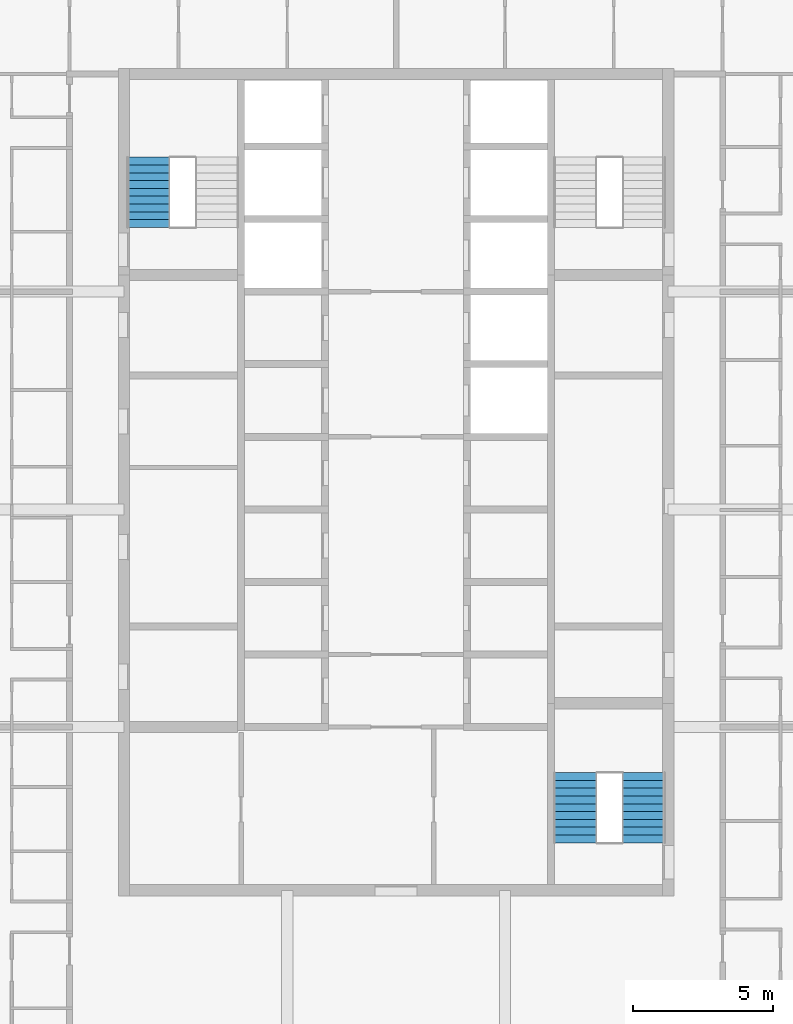
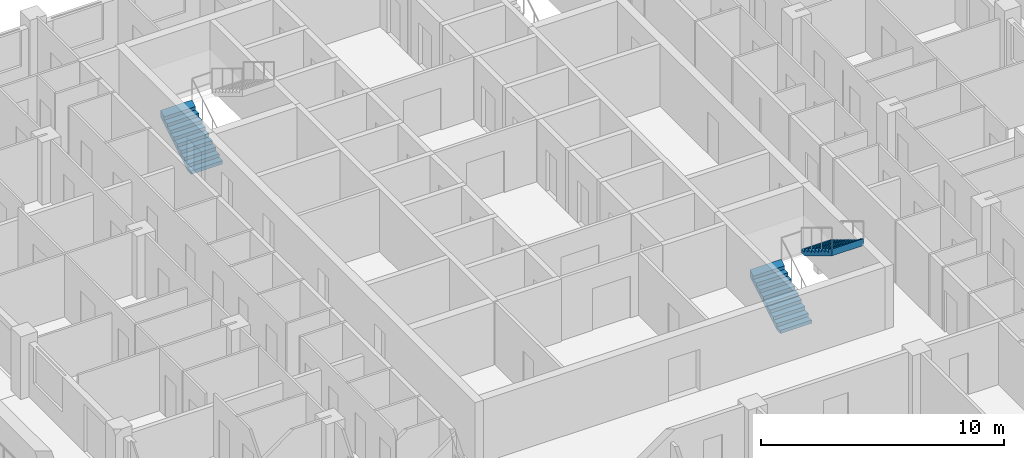
# One storey, part 13 of 16: 3 stair flights, 2 elements without a shape of their own.
"""IFC4 building model written with IfcOpenShell, lengths in metres."""

import ifcopenshell
import ifcopenshell.guid

model = None  # the IFC model being written
_history = None  # IfcOwnerHistory: only IFC2X3 demands one
_inside = {}  # id of a spatial element -> (the spatial element, [elements in it])
_under = {}  # id of a project, library or spatial element -> (it, [spatial elements below it])
_declared = {}  # id of a project -> (the project, [libraries it declares])
_typed = {}  # id of a type object -> (the type object, [elements of that type])
_made_of = {}  # id of a material, layer set ... -> (it, [elements and type objects made of it])


def new_model(schema):
    """Start an empty IFC model of exactly this schema.

    Asked for "IFC4X3", IfcOpenShell would pick the latest addendum, in which some entities
    have other attributes; the version numbers below select the first issue.
    IFC2X3 requires an IfcOwnerHistory on every rooted entity: one is made here for all.
    """
    global model, _history
    if schema == "IFC4X3":
        model = ifcopenshell.file(schema_version=(4, 3, 0, 0))
    else:
        model = ifcopenshell.file(schema=schema)
    _inside.clear()
    _under.clear()
    _declared.clear()
    _typed.clear()
    _made_of.clear()
    _history = None
    if model.schema == "IFC2X3":
        org = make("IfcOrganization", Name="unknown")
        user = make(
            "IfcPersonAndOrganization",
            ThePerson=make("IfcPerson", FamilyName="unknown"),
            TheOrganization=org,
        )
        app = make(
            "IfcApplication",
            ApplicationDeveloper=org,
            Version="unknown",
            ApplicationFullName="unknown",
            ApplicationIdentifier="unknown",
        )
        _history = make(
            "IfcOwnerHistory",
            OwningUser=user,
            OwningApplication=app,
            ChangeAction="ADDED",
            CreationDate=0,
        )
    return model


def make(cls, **values):
    """One entity of the class cls with the attributes given. An attribute that is None is left unset."""
    return model.create_entity(
        cls, **{name: value for name, value in values.items() if value is not None}
    )


def rooted(cls, **values):
    """An entity with a GlobalId (a new one), such as an element, a storey or a relation."""
    return make(cls, GlobalId=ifcopenshell.guid.new(), OwnerHistory=_history, **values)


def si_unit(unit_type, name, prefix=None):
    """IfcSIUnit, for example si_unit("LENGTHUNIT", "METRE", prefix="MILLI")."""
    return make("IfcSIUnit", UnitType=unit_type, Prefix=prefix, Name=name)


def assignment(units):
    """IfcUnitAssignment: the units of a project."""
    return None if units is None else make("IfcUnitAssignment", Units=units)


def point(xyz):
    """IfcCartesianPoint."""
    return None if xyz is None else make("IfcCartesianPoint", Coordinates=xyz)


def direction(xyz):
    """IfcDirection."""
    return None if xyz is None else make("IfcDirection", DirectionRatios=xyz)


def frame(location, z_axis=None, x_axis=None):
    """IfcAxis2Placement3D, a coordinate frame: its origin and axes. An axis left out is left unset."""
    return make(
        "IfcAxis2Placement3D",
        Location=point(location),
        Axis=direction(z_axis),
        RefDirection=direction(x_axis),
    )


def origin():
    """The frame at (0, 0, 0) with its axes left unset."""
    return frame((0.0, 0.0, 0.0))


def place(relative_to, where):
    """IfcLocalPlacement: puts the frame where relative to a parent placement (None: the world)."""
    return make(
        "IfcLocalPlacement", PlacementRelTo=relative_to, RelativePlacement=where
    )


def context(
    kind, dimensions, precision=None, world=None, true_north=None, identifier=None
):
    """IfcGeometricRepresentationContext, for example the 3D "Model" context."""
    return make(
        "IfcGeometricRepresentationContext",
        ContextIdentifier=identifier,
        ContextType=kind,
        CoordinateSpaceDimension=dimensions,
        Precision=precision,
        WorldCoordinateSystem=world,
        TrueNorth=true_north,
    )


def subcontext(parent, identifier, kind, view, scale=None):
    """IfcGeometricRepresentationSubContext, for example "Body" below "Model"."""
    return make(
        "IfcGeometricRepresentationSubContext",
        ContextIdentifier=identifier,
        ContextType=kind,
        ParentContext=parent,
        TargetScale=scale,
        TargetView=view,
    )


def project(units=None, contexts=None):
    """IfcProject with its units and contexts."""
    return rooted(
        "IfcProject",
        Name="project",
        RepresentationContexts=contexts,
        UnitsInContext=assignment(units),
    )


def spatial(cls, under=None, at=None, **own):
    """A site, building, storey or space (cls), placed at a placement, below another one or the project."""
    s = rooted(cls, ObjectPlacement=at, **own)
    if under is not None:
        _under.setdefault(under.id(), (under, []))[1].append(s)
    return s


def point_list(points):
    """IfcCartesianPointList2D or 3D."""
    cls = (
        "IfcCartesianPointList2D" if len(points[0]) == 2 else "IfcCartesianPointList3D"
    )
    return make(cls, CoordList=points)


def triangles(points, corners, closed=None, point_numbers=None):
    """IfcTriangulatedFaceSet: each triangle names its three corners, points numbered from 1."""
    return make(
        "IfcTriangulatedFaceSet",
        Coordinates=point_list(points),
        Closed=closed,
        CoordIndex=corners,
        PnIndex=point_numbers,
    )


def shape(context_of_items, identifier, shape_type, items):
    """IfcShapeRepresentation: the items that make up one representation, for example the "Body"."""
    return make(
        "IfcShapeRepresentation",
        ContextOfItems=context_of_items,
        RepresentationIdentifier=identifier,
        RepresentationType=shape_type,
        Items=items,
    )


def material(Name=None, Category=None):
    """IfcMaterial."""
    return make("IfcMaterial", Name=Name, Category=Category)


def made_of(thing, what):
    """Note that an element or type object is made of a material, layer set ...; save() writes the relation."""
    if what is not None:
        _made_of.setdefault(what.id(), (what, []))[1].append(thing)
    return thing


def type_object(cls, material=None, **own):
    """A type object (cls), such as IfcWallType, which elements share."""
    return made_of(rooted(cls, **own), material)


def element(
    cls,
    number,
    at=None,
    inside=None,
    cuts=None,
    type_object=None,
    material=None,
    context=None,
    identifier="Body",
    shape_type=None,
    held_by="IfcProductDefinitionShape",
    body=None,
    shapes=None,
    **own,
):
    """One element of the class cls, such as IfcWall. Its Tag is "e" and its number.

    at: its placement. inside: the storey or other place that contains it. cuts: it is an
    opening in that element (IfcRelVoidsElement). A single representation is given by context,
    identifier, shape_type and body (its items); several are given by shapes. held_by: the class
    of the entity that holds the representations. save() writes the other relations.
    """
    e = rooted(cls, Tag="e%d" % number, ObjectPlacement=at, **own)
    if body is not None:
        shapes = [shape(context, identifier, shape_type, body)]
    if shapes is not None:
        e.Representation = make(held_by, Representations=shapes)
    if inside is not None:
        _inside.setdefault(inside.id(), (inside, []))[1].append(e)
    if cuts is not None:
        rooted(
            "IfcRelVoidsElement", RelatingBuildingElement=cuts, RelatedOpeningElement=e
        )
    if type_object is not None:
        _typed.setdefault(type_object.id(), (type_object, []))[1].append(e)
    return made_of(e, material)


def aggregate(whole, parts):
    """IfcRelAggregates: a whole, such as a stair, and the parts it consists of."""
    return rooted("IfcRelAggregates", RelatingObject=whole, RelatedObjects=parts)


def save(model, path):
    """Write the relations noted so far, then the file.

    IfcRelAggregates (storeys below a building ...), IfcRelContainedInSpatialStructure (elements
    in a storey), IfcRelDefinesByType, IfcRelAssociatesMaterial and IfcRelDeclares: one each for
    every whole, place, type object, material and project.
    """
    for whole, parts in _under.values():
        aggregate(whole, parts)
    for where, things in _inside.values():
        rooted(
            "IfcRelContainedInSpatialStructure",
            RelatedElements=things,
            RelatingStructure=where,
        )
    for kind, things in _typed.values():
        rooted("IfcRelDefinesByType", RelatedObjects=things, RelatingType=kind)
    for what, things in _made_of.values():
        rooted("IfcRelAssociatesMaterial", RelatedObjects=things, RelatingMaterial=what)
    for by, libraries in _declared.values():
        rooted("IfcRelDeclares", RelatingContext=by, RelatedDefinitions=libraries)
    model.write(path)


model = new_model("IFC4")

# Units and contexts
model_context = context("Model", 3, precision=1e-05, world=origin(), true_north=direction((0.0, 1.0)))
body_context = subcontext(model_context, "Body", "Model", "MODEL_VIEW")
ifc_project = project(units=[si_unit("LENGTHUNIT", "METRE"), si_unit("AREAUNIT", "SQUARE_METRE"), si_unit("VOLUMEUNIT", "CUBIC_METRE"), si_unit("PLANEANGLEUNIT", "RADIAN"), si_unit("MASSUNIT", "GRAM", prefix="KILO")], contexts=[model_context])

# Site, building, storey
site_placement = place(None, origin())
site = spatial("IfcSite", under=ifc_project, at=site_placement, CompositionType="ELEMENT")
building_placement = place(site_placement, origin())
building = spatial("IfcBuilding", under=site, at=building_placement, Name="Ludao Terraces", CompositionType="ELEMENT")
storey_placement = place(building_placement, frame((0.0, 0.0, 234.699951171875)))
storey = spatial("IfcBuildingStorey", under=building, at=storey_placement, Name="L64", CompositionType="ELEMENT", Elevation=234.699951171875)

# Stair, stair flight
ifc_material = material(Name="Concrete C40", Category="concrete")
stair_type = type_object("IfcStairType", Name="INT Stair", PredefinedType="HALF_TURN_STAIR", material=ifc_material)
stair_1_placement = place(storey_placement, origin())
stair_1 = element("IfcStair", 1, at=stair_1_placement, inside=storey, type_object=stair_type, Name="EXIT STAIR 1", PredefinedType="HALF_TURN_STAIR")
stair_flight_type = type_object("IfcStairFlightType", Name="INT Stair flight", PredefinedType="STRAIGHT", material=ifc_material)
stair_flight_1_placement = place(storey_placement, frame((76.125, 79.0, 0.0), z_axis=(0.0, 0.0, 1.0), x_axis=(0.0, 1.0, 0.0)))
stair_flight_1 = element("IfcStairFlight", 2, at=stair_flight_1_placement, type_object=stair_flight_type, Name="ST1 flight 1", NumberOfRisers=10, NumberOfTreads=9, PredefinedType="STRAIGHT", RiserHeight=0.17, TreadLength=0.28, context=body_context, shape_type="Tessellation", body=[
    triangles([(0.0, -0.75, 0.0), (0.0, -0.5, 0.0), (0.0, -0.25, 0.0), (0.0, 0.0, 0.0), (0.0, 0.25, 0.0), (0.0, 0.5, 0.0), (0.0, 0.75, 0.0), (0.0, -0.75, 0.169921875), (0.0, -0.5, 0.169921875), (0.0, -0.25, 0.169921875), (0.0, 0.0, 0.169921875), (0.0, 0.25, 0.169921875), (0.0, 0.5, 0.169921875), (0.0, 0.75, 0.169921875), (0.280029296875, -0.75, 0.169921875), (0.280029296875, -0.5, 0.169921875), (0.280029296875, -0.25, 0.169921875), (0.280029296875, 0.0, 0.169921875), (0.280029296875, 0.25, 0.169921875), (0.280029296875, 0.5, 0.169921875), (0.280029296875, 0.75, 0.169921875), (0.280029296875, -0.75, 0.340087890625), (0.280029296875, -0.5, 0.340087890625), (0.280029296875, -0.25, 0.340087890625), (0.280029296875, 0.0, 0.340087890625), (0.280029296875, 0.25, 0.340087890625), (0.280029296875, 0.5, 0.340087890625), (0.280029296875, 0.75, 0.340087890625), (0.56005859375, -0.75, 0.340087890625), (0.56005859375, -0.5, 0.340087890625), (0.56005859375, -0.25, 0.340087890625), (0.56005859375, 0.0, 0.340087890625), (0.56005859375, 0.25, 0.340087890625), (0.56005859375, 0.5, 0.340087890625), (0.56005859375, 0.75, 0.340087890625), (0.56005859375, -0.75, 0.510009765625), (0.56005859375, -0.5, 0.510009765625), (0.56005859375, -0.25, 0.510009765625), (0.56005859375, 0.0, 0.510009765625), (0.56005859375, 0.25, 0.510009765625), (0.56005859375, 0.5, 0.510009765625), (0.56005859375, 0.75, 0.510009765625), (0.840087890625, -0.75, 0.510009765625), (0.840087890625, -0.5, 0.510009765625), (0.840087890625, -0.25, 0.510009765625), (0.840087890625, 0.0, 0.510009765625), (0.840087890625, 0.25, 0.510009765625), (0.840087890625, 0.5, 0.510009765625), (0.840087890625, 0.75, 0.510009765625), (0.840087890625, -0.75, 0.679931640625), (0.840087890625, -0.5, 0.679931640625), (0.840087890625, -0.25, 0.679931640625), (0.840087890625, 0.0, 0.679931640625), (0.840087890625, 0.25, 0.679931640625), (0.840087890625, 0.5, 0.679931640625), (0.840087890625, 0.75, 0.679931640625), (1.1201171875, -0.75, 0.679931640625), (1.1201171875, -0.5, 0.679931640625), (1.1201171875, -0.25, 0.679931640625), (1.1201171875, 0.0, 0.679931640625), (1.1201171875, 0.25, 0.679931640625), (1.1201171875, 0.5, 0.679931640625), (1.1201171875, 0.75, 0.679931640625), (1.1201171875, -0.75, 0.85009765625), (1.1201171875, -0.5, 0.85009765625), (1.1201171875, -0.25, 0.85009765625), (1.1201171875, 0.0, 0.85009765625), (1.1201171875, 0.25, 0.85009765625), (1.1201171875, 0.5, 0.85009765625), (1.1201171875, 0.75, 0.85009765625), (1.39990234375, -0.75, 0.85009765625), (1.39990234375, -0.5, 0.85009765625), (1.39990234375, -0.25, 0.85009765625), (1.39990234375, 0.0, 0.85009765625), (1.39990234375, 0.25, 0.85009765625), (1.39990234375, 0.5, 0.85009765625), (1.39990234375, 0.75, 0.85009765625), (1.39990234375, -0.75, 1.02001953125), (1.39990234375, -0.5, 1.02001953125), (1.39990234375, -0.25, 1.02001953125), (1.39990234375, 0.0, 1.02001953125), (1.39990234375, 0.25, 1.02001953125), (1.39990234375, 0.5, 1.02001953125), (1.39990234375, 0.75, 1.02001953125), (1.679931640625, -0.75, 1.02001953125), (1.679931640625, -0.5, 1.02001953125), (1.679931640625, -0.25, 1.02001953125), (1.679931640625, 0.0, 1.02001953125), (1.679931640625, 0.25, 1.02001953125), (1.679931640625, 0.5, 1.02001953125), (1.679931640625, 0.75, 1.02001953125), (1.679931640625, -0.75, 1.18994140625), (1.679931640625, -0.5, 1.18994140625), (1.679931640625, -0.25, 1.18994140625), (1.679931640625, 0.0, 1.18994140625), (1.679931640625, 0.25, 1.18994140625), (1.679931640625, 0.5, 1.18994140625), (1.679931640625, 0.75, 1.18994140625), (1.9599609375, -0.75, 1.18994140625), (1.9599609375, -0.5, 1.18994140625), (1.9599609375, -0.25, 1.18994140625), (1.9599609375, 0.0, 1.18994140625), (1.9599609375, 0.25, 1.18994140625), (1.9599609375, 0.5, 1.18994140625), (1.9599609375, 0.75, 1.18994140625), (1.9599609375, -0.75, 1.360107421875), (1.9599609375, -0.5, 1.360107421875), (1.9599609375, -0.25, 1.360107421875), (1.9599609375, 0.0, 1.360107421875), (1.9599609375, 0.25, 1.360107421875), (1.9599609375, 0.5, 1.360107421875), (1.9599609375, 0.75, 1.360107421875), (2.239990234375, -0.75, 1.360107421875), (2.239990234375, -0.5, 1.360107421875), (2.239990234375, -0.25, 1.360107421875), (2.239990234375, 0.0, 1.360107421875), (2.239990234375, 0.25, 1.360107421875), (2.239990234375, 0.5, 1.360107421875), (2.239990234375, 0.75, 1.360107421875), (2.239990234375, -0.75, 1.530029296875), (2.239990234375, -0.5, 1.530029296875), (2.239990234375, -0.25, 1.530029296875), (2.239990234375, 0.0, 1.530029296875), (2.239990234375, 0.25, 1.530029296875), (2.239990234375, 0.5, 1.530029296875), (2.239990234375, 0.75, 1.530029296875), (2.52001953125, -0.75, 1.699951171875), (2.52001953125, -0.5, 1.699951171875), (2.52001953125, -0.25, 1.699951171875), (2.52001953125, 0.0, 1.699951171875), (2.52001953125, 0.25, 1.699951171875), (2.52001953125, 0.5, 1.699951171875), (2.52001953125, 0.75, 1.699951171875), (2.52001953125, -0.75, 1.354736328125), (2.52001953125, -0.5, 1.354736328125), (2.52001953125, -0.25, 1.354736328125), (2.52001953125, 0.0, 1.354736328125), (2.52001953125, 0.25, 1.354736328125), (2.52001953125, 0.5, 1.354736328125), (2.52001953125, 0.75, 1.354736328125), (0.288818359375, -0.75, 0.0), (0.288818359375, -0.5, 0.0), (0.288818359375, -0.25, 0.0), (0.288818359375, 0.0, 0.0), (0.288818359375, 0.25, 0.0), (0.288818359375, 0.5, 0.0), (0.288818359375, 0.75, 0.0)], [[1, 141, 134], [7, 140, 147], [134, 127, 120], [140, 126, 133], [134, 120, 113], [140, 119, 126], [134, 113, 106], [140, 112, 119], [134, 106, 99], [140, 105, 112], [99, 92, 85], [105, 91, 98], [134, 99, 85], [140, 91, 105], [85, 78, 71], [91, 77, 84], [134, 85, 71], [140, 77, 91], [71, 64, 57], [77, 63, 70], [134, 71, 57], [140, 63, 77], [57, 50, 43], [63, 49, 56], [134, 57, 43], [140, 49, 63], [43, 36, 29], [49, 35, 42], [134, 43, 29], [140, 35, 49], [29, 22, 15], [35, 21, 28], [134, 29, 15], [140, 21, 35], [1, 134, 15], [7, 21, 140], [15, 8, 1], [21, 7, 14], [1, 9, 2], [1, 8, 9], [2, 10, 3], [2, 9, 10], [3, 11, 4], [3, 10, 11], [4, 12, 5], [4, 11, 12], [5, 13, 6], [5, 12, 13], [6, 14, 7], [6, 13, 14], [8, 16, 9], [8, 15, 16], [9, 17, 10], [9, 16, 17], [10, 18, 11], [10, 17, 18], [11, 19, 12], [11, 18, 19], [12, 20, 13], [12, 19, 20], [13, 21, 14], [13, 20, 21], [15, 23, 16], [15, 22, 23], [16, 24, 17], [16, 23, 24], [17, 25, 18], [17, 24, 25], [18, 26, 19], [18, 25, 26], [19, 27, 20], [19, 26, 27], [20, 28, 21], [20, 27, 28], [22, 30, 23], [22, 29, 30], [23, 31, 24], [23, 30, 31], [24, 32, 25], [24, 31, 32], [25, 33, 26], [25, 32, 33], [26, 34, 27], [26, 33, 34], [27, 35, 28], [27, 34, 35], [29, 37, 30], [29, 36, 37], [30, 38, 31], [30, 37, 38], [31, 39, 32], [31, 38, 39], [32, 40, 33], [32, 39, 40], [33, 41, 34], [33, 40, 41], [34, 42, 35], [34, 41, 42], [36, 44, 37], [36, 43, 44], [37, 45, 38], [37, 44, 45], [38, 46, 39], [38, 45, 46], [39, 47, 40], [39, 46, 47], [40, 48, 41], [40, 47, 48], [41, 49, 42], [41, 48, 49], [43, 51, 44], [43, 50, 51], [44, 52, 45], [44, 51, 52], [45, 53, 46], [45, 52, 53], [46, 54, 47], [46, 53, 54], [47, 55, 48], [47, 54, 55], [48, 56, 49], [48, 55, 56], [50, 58, 51], [50, 57, 58], [51, 59, 52], [51, 58, 59], [52, 60, 53], [52, 59, 60], [53, 61, 54], [53, 60, 61], [54, 62, 55], [54, 61, 62], [55, 63, 56], [55, 62, 63], [57, 65, 58], [57, 64, 65], [58, 66, 59], [58, 65, 66], [59, 67, 60], [59, 66, 67], [60, 68, 61], [60, 67, 68], [61, 69, 62], [61, 68, 69], [62, 70, 63], [62, 69, 70], [64, 72, 65], [64, 71, 72], [65, 73, 66], [65, 72, 73], [66, 74, 67], [66, 73, 74], [67, 75, 68], [67, 74, 75], [68, 76, 69], [68, 75, 76], [69, 77, 70], [69, 76, 77], [71, 79, 72], [71, 78, 79], [72, 80, 73], [72, 79, 80], [73, 81, 74], [73, 80, 81], [74, 82, 75], [74, 81, 82], [75, 83, 76], [75, 82, 83], [76, 84, 77], [76, 83, 84], [78, 86, 79], [78, 85, 86], [79, 87, 80], [79, 86, 87], [80, 88, 81], [80, 87, 88], [81, 89, 82], [81, 88, 89], [82, 90, 83], [82, 89, 90], [83, 91, 84], [83, 90, 91], [85, 93, 86], [85, 92, 93], [86, 94, 87], [86, 93, 94], [87, 95, 88], [87, 94, 95], [88, 96, 89], [88, 95, 96], [89, 97, 90], [89, 96, 97], [90, 98, 91], [90, 97, 98], [92, 100, 93], [92, 99, 100], [93, 101, 94], [93, 100, 101], [94, 102, 95], [94, 101, 102], [95, 103, 96], [95, 102, 103], [96, 104, 97], [96, 103, 104], [97, 105, 98], [97, 104, 105], [99, 107, 100], [99, 106, 107], [100, 108, 101], [100, 107, 108], [101, 109, 102], [101, 108, 109], [102, 110, 103], [102, 109, 110], [103, 111, 104], [103, 110, 111], [104, 112, 105], [104, 111, 112], [106, 114, 107], [106, 113, 114], [107, 115, 108], [107, 114, 115], [108, 116, 109], [108, 115, 116], [109, 117, 110], [109, 116, 117], [110, 118, 111], [110, 117, 118], [111, 119, 112], [111, 118, 119], [113, 121, 114], [113, 120, 121], [114, 122, 115], [114, 121, 122], [115, 123, 116], [115, 122, 123], [116, 124, 117], [116, 123, 124], [117, 125, 118], [117, 124, 125], [118, 126, 119], [118, 125, 126], [120, 128, 121], [120, 127, 128], [121, 129, 122], [121, 128, 129], [122, 130, 123], [122, 129, 130], [123, 131, 124], [123, 130, 131], [124, 132, 125], [124, 131, 132], [125, 133, 126], [125, 132, 133], [127, 135, 128], [127, 134, 135], [128, 136, 129], [128, 135, 136], [129, 137, 130], [129, 136, 137], [130, 138, 131], [130, 137, 138], [131, 139, 132], [131, 138, 139], [132, 140, 133], [132, 139, 140], [134, 142, 135], [134, 141, 142], [135, 143, 136], [135, 142, 143], [136, 144, 137], [136, 143, 144], [137, 145, 138], [137, 144, 145], [138, 146, 139], [138, 145, 146], [139, 147, 140], [139, 146, 147], [141, 2, 142], [141, 1, 2], [142, 3, 143], [142, 2, 3], [143, 4, 144], [143, 3, 4], [144, 5, 145], [144, 4, 5], [145, 6, 146], [145, 5, 6], [146, 7, 147], [146, 6, 7]], closed=True),
])
aggregate(stair_1, [stair_flight_1])

# Stair, stair flights
stair_2_placement = place(storey_placement, origin())
stair_2 = element("IfcStair", 3, at=stair_2_placement, inside=storey, type_object=stair_type, Name="EXIT STAIR 3", PredefinedType="HALF_TURN_STAIR")
stair_flight_2_placement = place(storey_placement, frame((91.425048828125, 56.949951171875, 0.0), z_axis=(0.0, 0.0, 1.0), x_axis=(0.0, 1.0, 0.0)))
stair_flight_2 = element("IfcStairFlight", 4, at=stair_flight_2_placement, type_object=stair_flight_type, Name="ST3 flight 1", NumberOfRisers=10, NumberOfTreads=9, PredefinedType="STRAIGHT", RiserHeight=0.17, TreadLength=0.28, context=body_context, shape_type="Tessellation", body=[
    triangles([(0.0, -0.75, 0.0), (0.0, -0.5, 0.0), (0.0, -0.25, 0.0), (0.0, 0.0, 0.0), (0.0, 0.25, 0.0), (0.0, 0.5, 0.0), (0.0, 0.75, 0.0), (0.0, -0.75, 0.169921875), (0.0, -0.5, 0.169921875), (0.0, -0.25, 0.169921875), (0.0, 0.0, 0.169921875), (0.0, 0.25, 0.169921875), (0.0, 0.5, 0.169921875), (0.0, 0.75, 0.169921875), (0.280029296875, -0.75, 0.169921875), (0.280029296875, -0.5, 0.169921875), (0.280029296875, -0.25, 0.169921875), (0.280029296875, 0.0, 0.169921875), (0.280029296875, 0.25, 0.169921875), (0.280029296875, 0.5, 0.169921875), (0.280029296875, 0.75, 0.169921875), (0.280029296875, -0.75, 0.340087890625), (0.280029296875, -0.5, 0.340087890625), (0.280029296875, -0.25, 0.340087890625), (0.280029296875, 0.0, 0.340087890625), (0.280029296875, 0.25, 0.340087890625), (0.280029296875, 0.5, 0.340087890625), (0.280029296875, 0.75, 0.340087890625), (0.56005859375, -0.75, 0.340087890625), (0.56005859375, -0.5, 0.340087890625), (0.56005859375, -0.25, 0.340087890625), (0.56005859375, 0.0, 0.340087890625), (0.56005859375, 0.25, 0.340087890625), (0.56005859375, 0.5, 0.340087890625), (0.56005859375, 0.75, 0.340087890625), (0.56005859375, -0.75, 0.510009765625), (0.56005859375, -0.5, 0.510009765625), (0.56005859375, -0.25, 0.510009765625), (0.56005859375, 0.0, 0.510009765625), (0.56005859375, 0.25, 0.510009765625), (0.56005859375, 0.5, 0.510009765625), (0.56005859375, 0.75, 0.510009765625), (0.840087890625, -0.75, 0.510009765625), (0.840087890625, -0.5, 0.510009765625), (0.840087890625, -0.25, 0.510009765625), (0.840087890625, 0.0, 0.510009765625), (0.840087890625, 0.25, 0.510009765625), (0.840087890625, 0.5, 0.510009765625), (0.840087890625, 0.75, 0.510009765625), (0.840087890625, -0.75, 0.679931640625), (0.840087890625, -0.5, 0.679931640625), (0.840087890625, -0.25, 0.679931640625), (0.840087890625, 0.0, 0.679931640625), (0.840087890625, 0.25, 0.679931640625), (0.840087890625, 0.5, 0.679931640625), (0.840087890625, 0.75, 0.679931640625), (1.1201171875, -0.75, 0.679931640625), (1.1201171875, -0.5, 0.679931640625), (1.1201171875, -0.25, 0.679931640625), (1.1201171875, 0.0, 0.679931640625), (1.1201171875, 0.25, 0.679931640625), (1.1201171875, 0.5, 0.679931640625), (1.1201171875, 0.75, 0.679931640625), (1.1201171875, -0.75, 0.85009765625), (1.1201171875, -0.5, 0.85009765625), (1.1201171875, -0.25, 0.85009765625), (1.1201171875, 0.0, 0.85009765625), (1.1201171875, 0.25, 0.85009765625), (1.1201171875, 0.5, 0.85009765625), (1.1201171875, 0.75, 0.85009765625), (1.39990234375, -0.75, 0.85009765625), (1.39990234375, -0.5, 0.85009765625), (1.39990234375, -0.25, 0.85009765625), (1.39990234375, 0.0, 0.85009765625), (1.39990234375, 0.25, 0.85009765625), (1.39990234375, 0.5, 0.85009765625), (1.39990234375, 0.75, 0.85009765625), (1.39990234375, -0.75, 1.02001953125), (1.39990234375, -0.5, 1.02001953125), (1.39990234375, -0.25, 1.02001953125), (1.39990234375, 0.0, 1.02001953125), (1.39990234375, 0.25, 1.02001953125), (1.39990234375, 0.5, 1.02001953125), (1.39990234375, 0.75, 1.02001953125), (1.679931640625, -0.75, 1.02001953125), (1.679931640625, -0.5, 1.02001953125), (1.679931640625, -0.25, 1.02001953125), (1.679931640625, 0.0, 1.02001953125), (1.679931640625, 0.25, 1.02001953125), (1.679931640625, 0.5, 1.02001953125), (1.679931640625, 0.75, 1.02001953125), (1.679931640625, -0.75, 1.18994140625), (1.679931640625, -0.5, 1.18994140625), (1.679931640625, -0.25, 1.18994140625), (1.679931640625, 0.0, 1.18994140625), (1.679931640625, 0.25, 1.18994140625), (1.679931640625, 0.5, 1.18994140625), (1.679931640625, 0.75, 1.18994140625), (1.9599609375, -0.75, 1.18994140625), (1.9599609375, -0.5, 1.18994140625), (1.9599609375, -0.25, 1.18994140625), (1.9599609375, 0.0, 1.18994140625), (1.9599609375, 0.25, 1.18994140625), (1.9599609375, 0.5, 1.18994140625), (1.9599609375, 0.75, 1.18994140625), (1.9599609375, -0.75, 1.360107421875), (1.9599609375, -0.5, 1.360107421875), (1.9599609375, -0.25, 1.360107421875), (1.9599609375, 0.0, 1.360107421875), (1.9599609375, 0.25, 1.360107421875), (1.9599609375, 0.5, 1.360107421875), (1.9599609375, 0.75, 1.360107421875), (2.239990234375, -0.75, 1.360107421875), (2.239990234375, -0.5, 1.360107421875), (2.239990234375, -0.25, 1.360107421875), (2.239990234375, 0.0, 1.360107421875), (2.239990234375, 0.25, 1.360107421875), (2.239990234375, 0.5, 1.360107421875), (2.239990234375, 0.75, 1.360107421875), (2.239990234375, -0.75, 1.530029296875), (2.239990234375, -0.5, 1.530029296875), (2.239990234375, -0.25, 1.530029296875), (2.239990234375, 0.0, 1.530029296875), (2.239990234375, 0.25, 1.530029296875), (2.239990234375, 0.5, 1.530029296875), (2.239990234375, 0.75, 1.530029296875), (2.52001953125, -0.75, 1.699951171875), (2.52001953125, -0.5, 1.699951171875), (2.52001953125, -0.25, 1.699951171875), (2.52001953125, 0.0, 1.699951171875), (2.52001953125, 0.25, 1.699951171875), (2.52001953125, 0.5, 1.699951171875), (2.52001953125, 0.75, 1.699951171875), (2.52001953125, -0.75, 1.354736328125), (2.52001953125, -0.5, 1.354736328125), (2.52001953125, -0.25, 1.354736328125), (2.52001953125, 0.0, 1.354736328125), (2.52001953125, 0.25, 1.354736328125), (2.52001953125, 0.5, 1.354736328125), (2.52001953125, 0.75, 1.354736328125), (0.288818359375, -0.75, 0.0), (0.288818359375, -0.5, 0.0), (0.288818359375, -0.25, 0.0), (0.288818359375, 0.0, 0.0), (0.288818359375, 0.25, 0.0), (0.288818359375, 0.5, 0.0), (0.288818359375, 0.75, 0.0)], [[1, 141, 134], [7, 140, 147], [134, 127, 120], [140, 126, 133], [134, 120, 113], [140, 119, 126], [134, 113, 106], [140, 112, 119], [134, 106, 99], [140, 105, 112], [99, 92, 85], [105, 91, 98], [134, 99, 85], [140, 91, 105], [85, 78, 71], [91, 77, 84], [134, 85, 71], [140, 77, 91], [71, 64, 57], [77, 63, 70], [134, 71, 57], [140, 63, 77], [57, 50, 43], [63, 49, 56], [134, 57, 43], [140, 49, 63], [43, 36, 29], [49, 35, 42], [134, 43, 29], [140, 35, 49], [29, 22, 15], [35, 21, 28], [134, 29, 15], [140, 21, 35], [1, 134, 15], [7, 21, 140], [15, 8, 1], [21, 7, 14], [1, 9, 2], [1, 8, 9], [2, 10, 3], [2, 9, 10], [3, 11, 4], [3, 10, 11], [4, 12, 5], [4, 11, 12], [5, 13, 6], [5, 12, 13], [6, 14, 7], [6, 13, 14], [8, 16, 9], [8, 15, 16], [9, 17, 10], [9, 16, 17], [10, 18, 11], [10, 17, 18], [11, 19, 12], [11, 18, 19], [12, 20, 13], [12, 19, 20], [13, 21, 14], [13, 20, 21], [15, 23, 16], [15, 22, 23], [16, 24, 17], [16, 23, 24], [17, 25, 18], [17, 24, 25], [18, 26, 19], [18, 25, 26], [19, 27, 20], [19, 26, 27], [20, 28, 21], [20, 27, 28], [22, 30, 23], [22, 29, 30], [23, 31, 24], [23, 30, 31], [24, 32, 25], [24, 31, 32], [25, 33, 26], [25, 32, 33], [26, 34, 27], [26, 33, 34], [27, 35, 28], [27, 34, 35], [29, 37, 30], [29, 36, 37], [30, 38, 31], [30, 37, 38], [31, 39, 32], [31, 38, 39], [32, 40, 33], [32, 39, 40], [33, 41, 34], [33, 40, 41], [34, 42, 35], [34, 41, 42], [36, 44, 37], [36, 43, 44], [37, 45, 38], [37, 44, 45], [38, 46, 39], [38, 45, 46], [39, 47, 40], [39, 46, 47], [40, 48, 41], [40, 47, 48], [41, 49, 42], [41, 48, 49], [43, 51, 44], [43, 50, 51], [44, 52, 45], [44, 51, 52], [45, 53, 46], [45, 52, 53], [46, 54, 47], [46, 53, 54], [47, 55, 48], [47, 54, 55], [48, 56, 49], [48, 55, 56], [50, 58, 51], [50, 57, 58], [51, 59, 52], [51, 58, 59], [52, 60, 53], [52, 59, 60], [53, 61, 54], [53, 60, 61], [54, 62, 55], [54, 61, 62], [55, 63, 56], [55, 62, 63], [57, 65, 58], [57, 64, 65], [58, 66, 59], [58, 65, 66], [59, 67, 60], [59, 66, 67], [60, 68, 61], [60, 67, 68], [61, 69, 62], [61, 68, 69], [62, 70, 63], [62, 69, 70], [64, 72, 65], [64, 71, 72], [65, 73, 66], [65, 72, 73], [66, 74, 67], [66, 73, 74], [67, 75, 68], [67, 74, 75], [68, 76, 69], [68, 75, 76], [69, 77, 70], [69, 76, 77], [71, 79, 72], [71, 78, 79], [72, 80, 73], [72, 79, 80], [73, 81, 74], [73, 80, 81], [74, 82, 75], [74, 81, 82], [75, 83, 76], [75, 82, 83], [76, 84, 77], [76, 83, 84], [78, 86, 79], [78, 85, 86], [79, 87, 80], [79, 86, 87], [80, 88, 81], [80, 87, 88], [81, 89, 82], [81, 88, 89], [82, 90, 83], [82, 89, 90], [83, 91, 84], [83, 90, 91], [85, 93, 86], [85, 92, 93], [86, 94, 87], [86, 93, 94], [87, 95, 88], [87, 94, 95], [88, 96, 89], [88, 95, 96], [89, 97, 90], [89, 96, 97], [90, 98, 91], [90, 97, 98], [92, 100, 93], [92, 99, 100], [93, 101, 94], [93, 100, 101], [94, 102, 95], [94, 101, 102], [95, 103, 96], [95, 102, 103], [96, 104, 97], [96, 103, 104], [97, 105, 98], [97, 104, 105], [99, 107, 100], [99, 106, 107], [100, 108, 101], [100, 107, 108], [101, 109, 102], [101, 108, 109], [102, 110, 103], [102, 109, 110], [103, 111, 104], [103, 110, 111], [104, 112, 105], [104, 111, 112], [106, 114, 107], [106, 113, 114], [107, 115, 108], [107, 114, 115], [108, 116, 109], [108, 115, 116], [109, 117, 110], [109, 116, 117], [110, 118, 111], [110, 117, 118], [111, 119, 112], [111, 118, 119], [113, 121, 114], [113, 120, 121], [114, 122, 115], [114, 121, 122], [115, 123, 116], [115, 122, 123], [116, 124, 117], [116, 123, 124], [117, 125, 118], [117, 124, 125], [118, 126, 119], [118, 125, 126], [120, 128, 121], [120, 127, 128], [121, 129, 122], [121, 128, 129], [122, 130, 123], [122, 129, 130], [123, 131, 124], [123, 130, 131], [124, 132, 125], [124, 131, 132], [125, 133, 126], [125, 132, 133], [127, 135, 128], [127, 134, 135], [128, 136, 129], [128, 135, 136], [129, 137, 130], [129, 136, 137], [130, 138, 131], [130, 137, 138], [131, 139, 132], [131, 138, 139], [132, 140, 133], [132, 139, 140], [134, 142, 135], [134, 141, 142], [135, 143, 136], [135, 142, 143], [136, 144, 137], [136, 143, 144], [137, 145, 138], [137, 144, 145], [138, 146, 139], [138, 145, 146], [139, 147, 140], [139, 146, 147], [141, 2, 142], [141, 1, 2], [142, 3, 143], [142, 2, 3], [143, 4, 144], [143, 3, 4], [144, 5, 145], [144, 4, 5], [145, 6, 146], [145, 5, 6], [146, 7, 147], [146, 6, 7]], closed=True),
])
stair_flight_3_placement = place(storey_placement, frame((93.875, 59.469970703125, 1.699951171875), z_axis=(0.0, 0.0, 1.0), x_axis=(0.0, -1.0, 0.0)))
stair_flight_3 = element("IfcStairFlight", 5, at=stair_flight_3_placement, type_object=stair_flight_type, Name="ST3 flight 2", NumberOfRisers=10, NumberOfTreads=9, PredefinedType="STRAIGHT", RiserHeight=0.17, TreadLength=0.28, context=body_context, shape_type="Tessellation", body=[
    triangles([(0.0, -0.75, 0.0), (0.0, -0.5, 0.0), (0.0, -0.25, 0.0), (0.0, 0.0, 0.0), (0.0, 0.25, 0.0), (0.0, 0.5, 0.0), (0.0, 0.75, 0.0), (0.0, -0.75, 0.169921875), (0.0, -0.5, 0.169921875), (0.0, -0.25, 0.169921875), (0.0, 0.0, 0.169921875), (0.0, 0.25, 0.169921875), (0.0, 0.5, 0.169921875), (0.0, 0.75, 0.169921875), (0.280029296875, -0.75, 0.169921875), (0.280029296875, -0.5, 0.169921875), (0.280029296875, -0.25, 0.169921875), (0.280029296875, 0.0, 0.169921875), (0.280029296875, 0.25, 0.169921875), (0.280029296875, 0.5, 0.169921875), (0.280029296875, 0.75, 0.169921875), (0.280029296875, -0.75, 0.340087890625), (0.280029296875, -0.5, 0.340087890625), (0.280029296875, -0.25, 0.340087890625), (0.280029296875, 0.0, 0.340087890625), (0.280029296875, 0.25, 0.340087890625), (0.280029296875, 0.5, 0.340087890625), (0.280029296875, 0.75, 0.340087890625), (0.56005859375, -0.75, 0.340087890625), (0.56005859375, -0.5, 0.340087890625), (0.56005859375, -0.25, 0.340087890625), (0.56005859375, 0.0, 0.340087890625), (0.56005859375, 0.25, 0.340087890625), (0.56005859375, 0.5, 0.340087890625), (0.56005859375, 0.75, 0.340087890625), (0.56005859375, -0.75, 0.510009765625), (0.56005859375, -0.5, 0.510009765625), (0.56005859375, -0.25, 0.510009765625), (0.56005859375, 0.0, 0.510009765625), (0.56005859375, 0.25, 0.510009765625), (0.56005859375, 0.5, 0.510009765625), (0.56005859375, 0.75, 0.510009765625), (0.840087890625, -0.75, 0.510009765625), (0.840087890625, -0.5, 0.510009765625), (0.840087890625, -0.25, 0.510009765625), (0.840087890625, 0.0, 0.510009765625), (0.840087890625, 0.25, 0.510009765625), (0.840087890625, 0.5, 0.510009765625), (0.840087890625, 0.75, 0.510009765625), (0.840087890625, -0.75, 0.679931640625), (0.840087890625, -0.5, 0.679931640625), (0.840087890625, -0.25, 0.679931640625), (0.840087890625, 0.0, 0.679931640625), (0.840087890625, 0.25, 0.679931640625), (0.840087890625, 0.5, 0.679931640625), (0.840087890625, 0.75, 0.679931640625), (1.1201171875, -0.75, 0.679931640625), (1.1201171875, -0.5, 0.679931640625), (1.1201171875, -0.25, 0.679931640625), (1.1201171875, 0.0, 0.679931640625), (1.1201171875, 0.25, 0.679931640625), (1.1201171875, 0.5, 0.679931640625), (1.1201171875, 0.75, 0.679931640625), (1.1201171875, -0.75, 0.85009765625), (1.1201171875, -0.5, 0.85009765625), (1.1201171875, -0.25, 0.85009765625), (1.1201171875, 0.0, 0.85009765625), (1.1201171875, 0.25, 0.85009765625), (1.1201171875, 0.5, 0.85009765625), (1.1201171875, 0.75, 0.85009765625), (1.39990234375, -0.75, 0.85009765625), (1.39990234375, -0.5, 0.85009765625), (1.39990234375, -0.25, 0.85009765625), (1.39990234375, 0.0, 0.85009765625), (1.39990234375, 0.25, 0.85009765625), (1.39990234375, 0.5, 0.85009765625), (1.39990234375, 0.75, 0.85009765625), (1.39990234375, -0.75, 1.02001953125), (1.39990234375, -0.5, 1.02001953125), (1.39990234375, -0.25, 1.02001953125), (1.39990234375, 0.0, 1.02001953125), (1.39990234375, 0.25, 1.02001953125), (1.39990234375, 0.5, 1.02001953125), (1.39990234375, 0.75, 1.02001953125), (1.679931640625, -0.75, 1.02001953125), (1.679931640625, -0.5, 1.02001953125), (1.679931640625, -0.25, 1.02001953125), (1.679931640625, 0.0, 1.02001953125), (1.679931640625, 0.25, 1.02001953125), (1.679931640625, 0.5, 1.02001953125), (1.679931640625, 0.75, 1.02001953125), (1.679931640625, -0.75, 1.18994140625), (1.679931640625, -0.5, 1.18994140625), (1.679931640625, -0.25, 1.18994140625), (1.679931640625, 0.0, 1.18994140625), (1.679931640625, 0.25, 1.18994140625), (1.679931640625, 0.5, 1.18994140625), (1.679931640625, 0.75, 1.18994140625), (1.9599609375, -0.75, 1.18994140625), (1.9599609375, -0.5, 1.18994140625), (1.9599609375, -0.25, 1.18994140625), (1.9599609375, 0.0, 1.18994140625), (1.9599609375, 0.25, 1.18994140625), (1.9599609375, 0.5, 1.18994140625), (1.9599609375, 0.75, 1.18994140625), (1.9599609375, -0.75, 1.360107421875), (1.9599609375, -0.5, 1.360107421875), (1.9599609375, -0.25, 1.360107421875), (1.9599609375, 0.0, 1.360107421875), (1.9599609375, 0.25, 1.360107421875), (1.9599609375, 0.5, 1.360107421875), (1.9599609375, 0.75, 1.360107421875), (2.239990234375, -0.75, 1.360107421875), (2.239990234375, -0.5, 1.360107421875), (2.239990234375, -0.25, 1.360107421875), (2.239990234375, 0.0, 1.360107421875), (2.239990234375, 0.25, 1.360107421875), (2.239990234375, 0.5, 1.360107421875), (2.239990234375, 0.75, 1.360107421875), (2.239990234375, -0.75, 1.530029296875), (2.239990234375, -0.5, 1.530029296875), (2.239990234375, -0.25, 1.530029296875), (2.239990234375, 0.0, 1.530029296875), (2.239990234375, 0.25, 1.530029296875), (2.239990234375, 0.5, 1.530029296875), (2.239990234375, 0.75, 1.530029296875), (2.52001953125, -0.75, 1.699951171875), (2.52001953125, -0.5, 1.699951171875), (2.52001953125, -0.25, 1.699951171875), (2.52001953125, 0.0, 1.699951171875), (2.52001953125, 0.25, 1.699951171875), (2.52001953125, 0.5, 1.699951171875), (2.52001953125, 0.75, 1.699951171875), (2.52001953125, -0.75, 1.354736328125), (2.52001953125, -0.5, 1.354736328125), (2.52001953125, -0.25, 1.354736328125), (2.52001953125, 0.0, 1.354736328125), (2.52001953125, 0.25, 1.354736328125), (2.52001953125, 0.5, 1.354736328125), (2.52001953125, 0.75, 1.354736328125), (0.288818359375, -0.75, 0.0), (0.288818359375, -0.5, 0.0), (0.288818359375, -0.25, 0.0), (0.288818359375, 0.0, 0.0), (0.288818359375, 0.25, 0.0), (0.288818359375, 0.5, 0.0), (0.288818359375, 0.75, 0.0)], [[1, 141, 134], [7, 140, 147], [134, 127, 120], [140, 126, 133], [134, 120, 113], [140, 119, 126], [134, 113, 106], [140, 112, 119], [134, 106, 99], [140, 105, 112], [99, 92, 85], [105, 91, 98], [134, 99, 85], [140, 91, 105], [85, 78, 71], [91, 77, 84], [134, 85, 71], [140, 77, 91], [71, 64, 57], [77, 63, 70], [134, 71, 57], [140, 63, 77], [57, 50, 43], [63, 49, 56], [134, 57, 43], [140, 49, 63], [43, 36, 29], [49, 35, 42], [134, 43, 29], [140, 35, 49], [29, 22, 15], [35, 21, 28], [134, 29, 15], [140, 21, 35], [1, 134, 15], [7, 21, 140], [15, 8, 1], [21, 7, 14], [1, 9, 2], [1, 8, 9], [2, 10, 3], [2, 9, 10], [3, 11, 4], [3, 10, 11], [4, 12, 5], [4, 11, 12], [5, 13, 6], [5, 12, 13], [6, 14, 7], [6, 13, 14], [8, 16, 9], [8, 15, 16], [9, 17, 10], [9, 16, 17], [10, 18, 11], [10, 17, 18], [11, 19, 12], [11, 18, 19], [12, 20, 13], [12, 19, 20], [13, 21, 14], [13, 20, 21], [15, 23, 16], [15, 22, 23], [16, 24, 17], [16, 23, 24], [17, 25, 18], [17, 24, 25], [18, 26, 19], [18, 25, 26], [19, 27, 20], [19, 26, 27], [20, 28, 21], [20, 27, 28], [22, 30, 23], [22, 29, 30], [23, 31, 24], [23, 30, 31], [24, 32, 25], [24, 31, 32], [25, 33, 26], [25, 32, 33], [26, 34, 27], [26, 33, 34], [27, 35, 28], [27, 34, 35], [29, 37, 30], [29, 36, 37], [30, 38, 31], [30, 37, 38], [31, 39, 32], [31, 38, 39], [32, 40, 33], [32, 39, 40], [33, 41, 34], [33, 40, 41], [34, 42, 35], [34, 41, 42], [36, 44, 37], [36, 43, 44], [37, 45, 38], [37, 44, 45], [38, 46, 39], [38, 45, 46], [39, 47, 40], [39, 46, 47], [40, 48, 41], [40, 47, 48], [41, 49, 42], [41, 48, 49], [43, 51, 44], [43, 50, 51], [44, 52, 45], [44, 51, 52], [45, 53, 46], [45, 52, 53], [46, 54, 47], [46, 53, 54], [47, 55, 48], [47, 54, 55], [48, 56, 49], [48, 55, 56], [50, 58, 51], [50, 57, 58], [51, 59, 52], [51, 58, 59], [52, 60, 53], [52, 59, 60], [53, 61, 54], [53, 60, 61], [54, 62, 55], [54, 61, 62], [55, 63, 56], [55, 62, 63], [57, 65, 58], [57, 64, 65], [58, 66, 59], [58, 65, 66], [59, 67, 60], [59, 66, 67], [60, 68, 61], [60, 67, 68], [61, 69, 62], [61, 68, 69], [62, 70, 63], [62, 69, 70], [64, 72, 65], [64, 71, 72], [65, 73, 66], [65, 72, 73], [66, 74, 67], [66, 73, 74], [67, 75, 68], [67, 74, 75], [68, 76, 69], [68, 75, 76], [69, 77, 70], [69, 76, 77], [71, 79, 72], [71, 78, 79], [72, 80, 73], [72, 79, 80], [73, 81, 74], [73, 80, 81], [74, 82, 75], [74, 81, 82], [75, 83, 76], [75, 82, 83], [76, 84, 77], [76, 83, 84], [78, 86, 79], [78, 85, 86], [79, 87, 80], [79, 86, 87], [80, 88, 81], [80, 87, 88], [81, 89, 82], [81, 88, 89], [82, 90, 83], [82, 89, 90], [83, 91, 84], [83, 90, 91], [85, 93, 86], [85, 92, 93], [86, 94, 87], [86, 93, 94], [87, 95, 88], [87, 94, 95], [88, 96, 89], [88, 95, 96], [89, 97, 90], [89, 96, 97], [90, 98, 91], [90, 97, 98], [92, 100, 93], [92, 99, 100], [93, 101, 94], [93, 100, 101], [94, 102, 95], [94, 101, 102], [95, 103, 96], [95, 102, 103], [96, 104, 97], [96, 103, 104], [97, 105, 98], [97, 104, 105], [99, 107, 100], [99, 106, 107], [100, 108, 101], [100, 107, 108], [101, 109, 102], [101, 108, 109], [102, 110, 103], [102, 109, 110], [103, 111, 104], [103, 110, 111], [104, 112, 105], [104, 111, 112], [106, 114, 107], [106, 113, 114], [107, 115, 108], [107, 114, 115], [108, 116, 109], [108, 115, 116], [109, 117, 110], [109, 116, 117], [110, 118, 111], [110, 117, 118], [111, 119, 112], [111, 118, 119], [113, 121, 114], [113, 120, 121], [114, 122, 115], [114, 121, 122], [115, 123, 116], [115, 122, 123], [116, 124, 117], [116, 123, 124], [117, 125, 118], [117, 124, 125], [118, 126, 119], [118, 125, 126], [120, 128, 121], [120, 127, 128], [121, 129, 122], [121, 128, 129], [122, 130, 123], [122, 129, 130], [123, 131, 124], [123, 130, 131], [124, 132, 125], [124, 131, 132], [125, 133, 126], [125, 132, 133], [127, 135, 128], [127, 134, 135], [128, 136, 129], [128, 135, 136], [129, 137, 130], [129, 136, 137], [130, 138, 131], [130, 137, 138], [131, 139, 132], [131, 138, 139], [132, 140, 133], [132, 139, 140], [134, 142, 135], [134, 141, 142], [135, 143, 136], [135, 142, 143], [136, 144, 137], [136, 143, 144], [137, 145, 138], [137, 144, 145], [138, 146, 139], [138, 145, 146], [139, 147, 140], [139, 146, 147], [141, 2, 142], [141, 1, 2], [142, 3, 143], [142, 2, 3], [143, 4, 144], [143, 3, 4], [144, 5, 145], [144, 4, 5], [145, 6, 146], [145, 5, 6], [146, 7, 147], [146, 6, 7]], closed=True),
])
aggregate(stair_2, [stair_flight_2, stair_flight_3])

save(model, "model.ifc")
